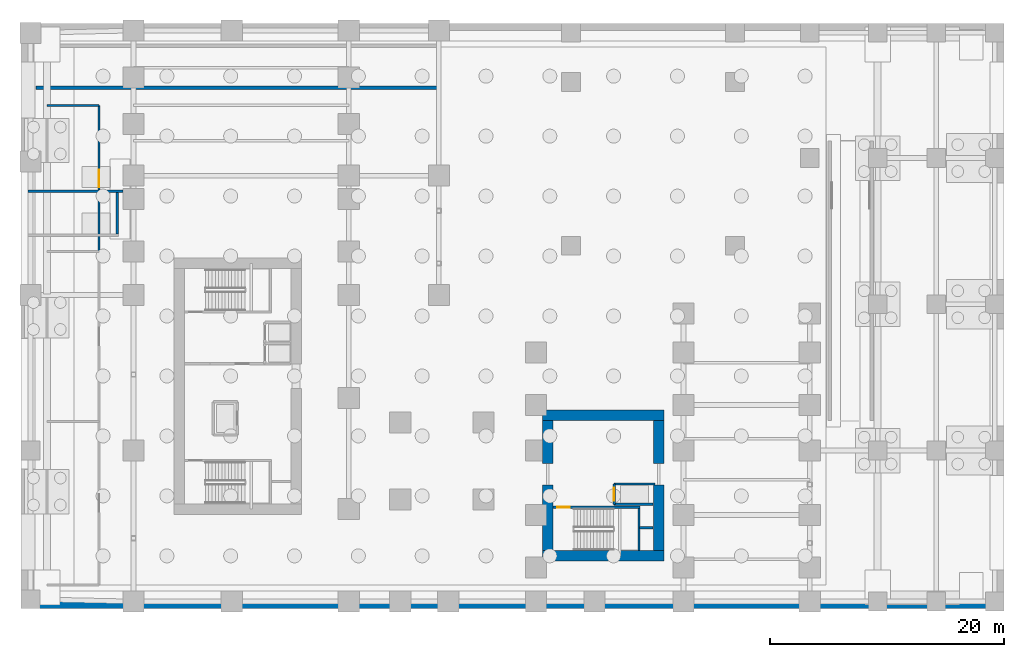
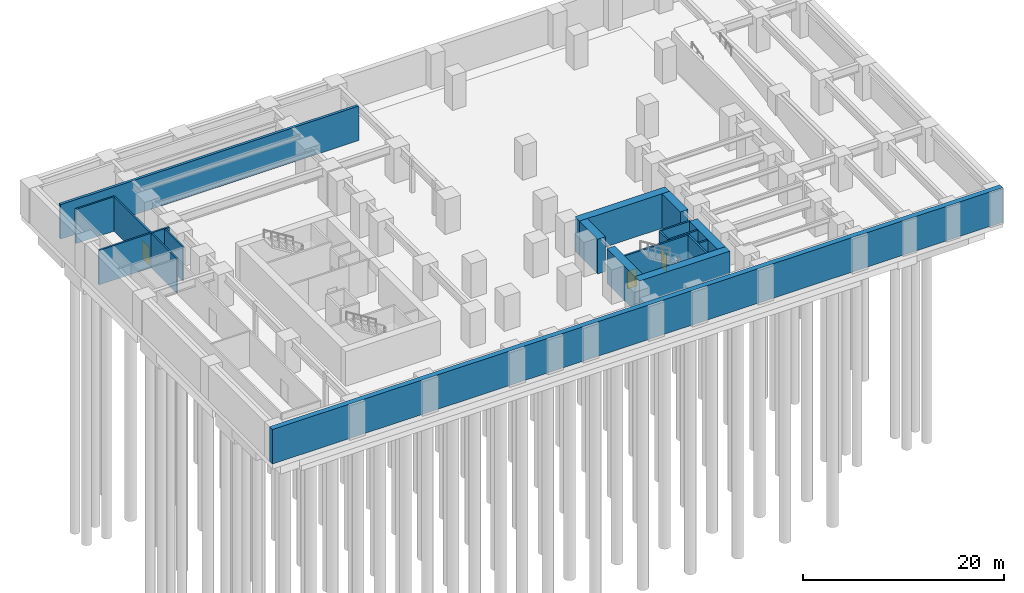
# One storey, part 11 of 15: 18 walls, 3 doors, 3 openings.
"""IFC4 building model written with IfcOpenShell, lengths in metres."""

from ifc_helpers import new_model, si_unit, direction, frame, frame_2d, origin, place, context, subcontext, project, spatial, rectangle, extrude, source, transform, mapped, material, layer, layer_set, type_object, element, fill, save


model = new_model("IFC4")

# Units and contexts
model_context = context("Model", 3, precision=1e-05, world=origin(), true_north=direction((0.0, 1.0)))
body_context = subcontext(model_context, "Body", "Model", "MODEL_VIEW")
ifc_project = project(units=[si_unit("LENGTHUNIT", "METRE"), si_unit("AREAUNIT", "SQUARE_METRE"), si_unit("VOLUMEUNIT", "CUBIC_METRE"), si_unit("PLANEANGLEUNIT", "RADIAN"), si_unit("MASSUNIT", "GRAM", prefix="KILO")], contexts=[model_context])

# Site, building, storey
site_placement = place(None, origin())
site = spatial("IfcSite", under=ifc_project, at=site_placement, CompositionType="ELEMENT")
building_placement = place(site_placement, origin())
building = spatial("IfcBuilding", under=site, at=building_placement, Name="Kharzan Plaza Tower", CompositionType="ELEMENT")
storey_placement = place(building_placement, frame((0.0, 0.0, -9.0)))
storey = spatial("IfcBuildingStorey", under=building, at=storey_placement, Name="B02", CompositionType="ELEMENT", Elevation=-9.0)

# Wall, opening, door
ifc_material_1 = material(Name="Concrete C40/50", Category="concrete")
ifc_layer_1 = layer(ifc_material_1, 0.179931640625)
ifc_layer_set_1 = layer_set([ifc_layer_1], Name="Concrete C40/50")
wall_type_1 = type_object("IfcWallType", Name="WL-INT-FIRE-180", PredefinedType="PARTITIONING", material=ifc_layer_set_1)
wall_1_placement = place(storey_placement, frame((-2.35009765625, 30.5, 0.0), z_axis=(0.0, 0.0, 1.0), x_axis=(0.0, 1.0, 0.0)))
wall_1 = element("IfcWall", 1, at=wall_1_placement, inside=storey, type_object=wall_type_1, Name="B02 Interior Partition B02-PW3", PredefinedType="PARTITIONING", context=body_context, shape_type="SweptSolid", body=[
    extrude(rectangle(XDim=12.5, YDim=0.179931640625, at=frame_2d((6.25, 0.0))), origin(), (0.0, 0.0, 1.0), 4.18505859375),
])
opening_1_placement = place(wall_1_placement, frame((5.5, 0.0, 0.0)))
opening_1 = element("IfcOpeningElement", 2, at=opening_1_placement, cuts=wall_1, Name="Opening PD1", PredefinedType="OPENING", context=body_context, shape_type="SweptSolid", body=[
    extrude(rectangle(XDim=1.5, YDim=2.199951171875, at=frame_2d((0.75, 1.10009765625))), frame((0.0, 0.099853515625, 0.0), z_axis=(0.0, -1.0, 0.0), x_axis=(1.0, 0.0, 0.0)), (0.0, 0.0, 1.0), 0.199951171875),
])
ifc_material_2 = material(Name="Galvanized Louvred Acoustic Steel", Category="steel")
door_type_1 = type_object("IfcDoorType", Name="DR-PLANT-DBL", OperationType="DOUBLE_DOOR_SINGLE_SWING", PredefinedType="DOOR", material=ifc_material_2)
shared_shape_1 = source(origin(), body_context, "Body", "SweptSolid", [
    extrude(rectangle(XDim=1.5, YDim=2.199951171875, at=frame_2d((0.75, 1.10009765625))), frame((0.0, 0.02490234375, 0.0), z_axis=(0.0, -1.0, 0.0), x_axis=(1.0, 0.0, 0.0)), (0.0, 0.0, 1.0), 0.050048828125),
])
door_1_placement = place(opening_1_placement, origin())
door_1 = element("IfcDoor", 3, at=door_1_placement, inside=storey, type_object=door_type_1, Name="B02 Generator Hall Door", OperationType="DOUBLE_DOOR_SINGLE_SWING", OverallHeight=2.199951171875, OverallWidth=1.5, PredefinedType="DOOR", context=body_context, shape_type="MappedRepresentation", body=[
    mapped(shared_shape_1, transform((0.0, 0.0, 0.0), x_axis=(1.0, 0.0, 0.0), y_axis=(0.0, 1.0, 0.0), z_axis=(0.0, 0.0, 1.0))),
])
fill(opening_1, door_1)

ifc_layer_2 = layer(ifc_material_1, 0.199951171875)
ifc_layer_set_2 = layer_set([ifc_layer_2], Name="Concrete C40/50")
wall_type_2 = type_object("IfcWallType", Name="WL-INT-SHAFT-200", PredefinedType="PARTITIONING", material=ifc_layer_set_2)
wall_2_placement = place(storey_placement, frame((41.679931640625, 8.89990234375, 0.0), z_axis=(0.0, 0.0, 1.0), x_axis=(0.0, 1.0, 0.0)))
wall_2 = element("IfcWall", 4, at=wall_2_placement, inside=storey, type_object=wall_type_2, Name="B02 Interior Partition SHF-SVL-2-W", PredefinedType="PARTITIONING", context=body_context, shape_type="SweptSolid", body=[
    extrude(rectangle(XDim=1.739990234375, YDim=0.199951171875, at=frame_2d((0.8701171875, 0.0))), origin(), (0.0, 0.0, 1.0), 4.18505859375),
])
opening_2_placement = place(wall_2_placement, frame((0.320068359375, 0.0, 0.0)))
opening_2 = element("IfcOpeningElement", 5, at=opening_2_placement, cuts=wall_2, Name="Opening LD", PredefinedType="OPENING", context=body_context, shape_type="SweptSolid", body=[
    extrude(rectangle(XDim=1.10009765625, YDim=2.199951171875, at=frame_2d((0.550048828125, 1.10009765625))), frame((0.0, 0.10986328125, 0.0), z_axis=(0.0, -1.0, 0.0), x_axis=(1.0, 0.0, 0.0)), (0.0, 0.0, 1.0), 0.219970703125),
])
ifc_material_3 = material(Name="Brushed Stainless Steel", Category="steel")
door_type_2 = type_object("IfcDoorType", Name="DR-LIFT-SLIDE", OperationType="SLIDING_TO_LEFT", PredefinedType="DOOR", material=ifc_material_3)
shared_shape_2 = source(origin(), body_context, "Body", "SweptSolid", [
    extrude(rectangle(XDim=1.10009765625, YDim=2.199951171875, at=frame_2d((0.550048828125, 1.10009765625))), frame((0.0, 0.02490234375, 0.0), z_axis=(0.0, -1.0, 0.0), x_axis=(1.0, 0.0, 0.0)), (0.0, 0.0, 1.0), 0.050048828125),
])
door_2_placement = place(opening_2_placement, origin())
door_2 = element("IfcDoor", 6, at=door_2_placement, inside=storey, type_object=door_type_2, Name="B02 Service Lift SVL-2 Sliding Landing Door", OperationType="SLIDING_TO_LEFT", OverallHeight=2.199951171875, OverallWidth=1.10009765625, PredefinedType="DOOR", context=body_context, shape_type="MappedRepresentation", body=[
    mapped(shared_shape_2, transform((0.0, 0.0, 0.0), x_axis=(1.0, 0.0, 0.0), y_axis=(0.0, 1.0, 0.0), z_axis=(0.0, 0.0, 1.0))),
])
fill(opening_2, door_2)

ifc_material_4 = material(Name="Concrete C50/60", Category="concrete")
ifc_layer_3 = layer(ifc_material_4, 0.199951171875)
ifc_layer_set_3 = layer_set([ifc_layer_3], Name="Concrete C50/60")
wall_type_3 = type_object("IfcWallType", Name="WL-SHAFT-RC200", PredefinedType="SHEAR", material=ifc_layer_set_3)
wall_3_placement = place(storey_placement, frame((36.451904296875, 8.655029296875, 0.0), z_axis=(0.0, 0.0, 1.0), x_axis=(1.0, 0.0, 0.0)))
wall_3 = element("IfcWall", 7, at=wall_3_placement, inside=storey, type_object=wall_type_3, Name="B02 Stair ST-3 North RC Shaft Wall", PredefinedType="SHEAR", context=body_context, shape_type="SweptSolid", body=[
    extrude(rectangle(XDim=7.453125, YDim=0.199951171875, at=frame_2d((3.7265625, 0.0))), origin(), (0.0, 0.0, 1.0), 4.199951171875),
])
opening_3_placement = place(wall_3_placement, frame((0.35009765625, 0.0, 0.0)))
opening_3 = element("IfcOpeningElement", 8, at=opening_3_placement, cuts=wall_3, Name="Opening SD1", PredefinedType="OPENING", context=body_context, shape_type="SweptSolid", body=[
    extrude(rectangle(XDim=1.10009765625, YDim=2.14990234375, at=frame_2d((0.550048828125, 1.074951171875))), frame((0.0, 0.10986328125, 0.0), z_axis=(0.0, -1.0, 0.0), x_axis=(1.0, 0.0, 0.0)), (0.0, 0.0, 1.0), 0.219970703125),
])
ifc_material_5 = material(Name="Fire-Rated Hollow Galvanized Steel", Category="steel")
door_type_3 = type_object("IfcDoorType", Name="DR-STAIR-FD120", OperationType="NOTDEFINED", PredefinedType="DOOR", material=ifc_material_5)
shared_shape_3 = source(origin(), body_context, "Body", "SweptSolid", [
    extrude(rectangle(XDim=1.10009765625, YDim=2.14990234375, at=frame_2d((0.550048828125, 1.074951171875))), frame((0.0, 0.02490234375, 0.0), z_axis=(0.0, -1.0, 0.0), x_axis=(1.0, 0.0, 0.0)), (0.0, 0.0, 1.0), 0.050048828125),
])
door_3_placement = place(opening_3_placement, origin())
door_3 = element("IfcDoor", 9, at=door_3_placement, inside=storey, type_object=door_type_3, Name="B02 Stair ST-3 Fire Exit Door", OperationType="SINGLE_SWING_RIGHT", OverallHeight=2.14990234375, OverallWidth=1.10009765625, PredefinedType="DOOR", context=body_context, shape_type="MappedRepresentation", body=[
    mapped(shared_shape_3, transform((0.0, 0.0, 0.0), x_axis=(1.0, 0.0, 0.0), y_axis=(0.0, 1.0, 0.0), z_axis=(0.0, 0.0, 1.0))),
])
fill(opening_3, door_3)

# Walls
ifc_material_6 = material(Name="Concrete C60/75", Category="concrete")
ifc_layer_4 = layer(ifc_material_6, 0.89990234375)
ifc_layer_set_4 = layer_set([ifc_layer_4], Name="Concrete C60/75")
wall_type_4 = type_object("IfcWallType", Name="WL-CORE-900", PredefinedType="SHEAR", material=ifc_layer_set_4)
shared_shape_4 = source(origin(), body_context, "Body", "SweptSolid", [
    extrude(rectangle(XDim=5.60009765625, YDim=0.89990234375, at=frame_2d((2.800048828125, 0.0))), origin(), (0.0, 0.0, 1.0), 4.199951171875),
])
for number, where, z_axis, x_axis, name in (
    (10, (45.5, 4.949951171875, 0.0), (0.0, 0.0, 1.0), (0.0, 1.0, 0.0), "B02 CORE-B east shear pier 1"),
    (11, (36.0, 4.949951171875, 0.0), (0.0, 0.0, 1.0), (0.0, 1.0, 0.0), "B02 CORE-B west shear pier 1"),
):
    element("IfcWall", number, at=place(storey_placement, frame(where, z_axis=z_axis, x_axis=x_axis)), inside=storey, type_object=wall_type_4, Name=name, PredefinedType="SHEAR", context=body_context, shape_type="MappedRepresentation", body=[
        mapped(shared_shape_4, transform((0.0, 0.0, 0.0), x_axis=(1.0, 0.0, 0.0), y_axis=(0.0, 1.0, 0.0), z_axis=(0.0, 0.0, 1.0))),
    ])
shared_shape_5 = source(origin(), body_context, "Body", "SweptSolid", [
    extrude(rectangle(XDim=3.650146484375, YDim=0.89990234375, at=frame_2d((1.8251953125, 0.0))), origin(), (0.0, 0.0, 1.0), 4.199951171875),
])
for number, where, z_axis, x_axis, name in (
    (12, (45.5, 12.39990234375, 0.0), (0.0, 0.0, 1.0), (0.0, 1.0, 0.0), "B02 CORE-B east shear pier 2"),
    (13, (36.0, 12.39990234375, 0.0), (0.0, 0.0, 1.0), (0.0, 1.0, 0.0), "B02 CORE-B west shear pier 2"),
):
    element("IfcWall", number, at=place(storey_placement, frame(where, z_axis=z_axis, x_axis=x_axis)), inside=storey, type_object=wall_type_4, Name=name, PredefinedType="SHEAR", context=body_context, shape_type="MappedRepresentation", body=[
        mapped(shared_shape_5, transform((0.0, 0.0, 0.0), x_axis=(1.0, 0.0, 0.0), y_axis=(0.0, 1.0, 0.0), z_axis=(0.0, 0.0, 1.0))),
    ])
shared_shape_6 = source(origin(), body_context, "Body", "SweptSolid", [
    extrude(rectangle(XDim=10.39990234375, YDim=0.89990234375, at=frame_2d((5.199951171875, 0.0))), origin(), (0.0, 0.0, 1.0), 4.199951171875),
])
for number, where, z_axis, x_axis, name in (
    (14, (35.550048828125, 16.5, 0.0), (0.0, 0.0, 1.0), (1.0, 0.0, 0.0), "B02 CORE-B north RC shear wall"),
    (15, (35.550048828125, 4.5, 0.0), (0.0, 0.0, 1.0), (1.0, 0.0, 0.0), "B02 CORE-B south RC shear wall"),
):
    element("IfcWall", number, at=place(storey_placement, frame(where, z_axis=z_axis, x_axis=x_axis)), inside=storey, type_object=wall_type_4, Name=name, PredefinedType="SHEAR", context=body_context, shape_type="MappedRepresentation", body=[
        mapped(shared_shape_6, transform((0.0, 0.0, 0.0), x_axis=(1.0, 0.0, 0.0), y_axis=(0.0, 1.0, 0.0), z_axis=(0.0, 0.0, 1.0))),
    ])
shared_shape_7 = source(origin(), body_context, "Body", "SweptSolid", [
    extrude(rectangle(XDim=4.449951171875, YDim=0.179931640625, at=frame_2d((2.22509765625, 0.0))), origin(), (0.0, 0.0, 1.0), 4.18505859375),
])
wall_4_placement = place(storey_placement, frame((-6.800048828125, 43.0, 0.0), z_axis=(0.0, 0.0, 1.0), x_axis=(1.0, 0.0, 0.0)))
element("IfcWall", 16, at=wall_4_placement, inside=storey, type_object=wall_type_1, Name="B02 Interior Partition B02-PN0", PredefinedType="PARTITIONING", context=body_context, shape_type="MappedRepresentation", body=[
    mapped(shared_shape_7, transform((0.0, 0.0, 0.0), x_axis=(1.0, 0.0, 0.0), y_axis=(0.0, 1.0, 0.0), z_axis=(0.0, 0.0, 1.0))),
])
shared_shape_8 = source(origin(), body_context, "Body", "SweptSolid", [
    extrude(rectangle(XDim=1.169921875, YDim=0.199951171875, at=frame_2d((0.5849609375, 0.0))), origin(), (0.0, 0.0, 1.0), 4.18505859375),
])
wall_5_placement = place(storey_placement, frame((43.85009765625, 6.89990234375, 0.0), z_axis=(0.0, 0.0, 1.0), x_axis=(1.0, 0.0, 0.0)))
element("IfcWall", 17, at=wall_5_placement, inside=storey, type_object=wall_type_2, Name="B02 Interior Partition CB-RSRB-N", PredefinedType="PARTITIONING", context=body_context, shape_type="MappedRepresentation", body=[
    mapped(shared_shape_8, transform((0.0, 0.0, 0.0), x_axis=(1.0, 0.0, 0.0), y_axis=(0.0, 1.0, 0.0), z_axis=(0.0, 0.0, 1.0))),
])
shared_shape_9 = source(origin(), body_context, "Body", "SweptSolid", [
    extrude(rectangle(XDim=3.489990234375, YDim=0.199951171875, at=frame_2d((1.7451171875, 0.0))), origin(), (0.0, 0.0, 1.0), 4.18505859375),
])
wall_6_placement = place(storey_placement, frame((41.679931640625, 10.639892578125, 0.0), z_axis=(0.0, 0.0, 1.0), x_axis=(1.0, 0.0, 0.0)))
element("IfcWall", 18, at=wall_6_placement, inside=storey, type_object=wall_type_2, Name="B02 Interior Partition SHF-SVL-2-N", PredefinedType="PARTITIONING", context=body_context, shape_type="MappedRepresentation", body=[
    mapped(shared_shape_9, transform((0.0, 0.0, 0.0), x_axis=(1.0, 0.0, 0.0), y_axis=(0.0, 1.0, 0.0), z_axis=(0.0, 0.0, 1.0))),
])
shared_shape_10 = source(origin(), body_context, "Body", "SweptSolid", [
    extrude(rectangle(XDim=3.340087890625, YDim=0.199951171875, at=frame_2d((1.669921875, 0.0))), origin(), (0.0, 0.0, 1.0), 4.18505859375),
])
wall_7_placement = place(storey_placement, frame((41.679931640625, 8.89990234375, 0.0), z_axis=(0.0, 0.0, 1.0), x_axis=(1.0, 0.0, 0.0)))
element("IfcWall", 19, at=wall_7_placement, inside=storey, type_object=wall_type_2, Name="B02 Interior Partition SHF-SVL-2-S", PredefinedType="PARTITIONING", context=body_context, shape_type="MappedRepresentation", body=[
    mapped(shared_shape_10, transform((0.0, 0.0, 0.0), x_axis=(1.0, 0.0, 0.0), y_axis=(0.0, 1.0, 0.0), z_axis=(0.0, 0.0, 1.0))),
])
ifc_layer_5 = layer(ifc_material_4, 0.60009765625)
ifc_layer_set_5 = layer_set([ifc_layer_5], Name="Concrete C50/60")
wall_type_5 = type_object("IfcWallType", Name="WL-RETAIN-600", PredefinedType="USERDEFINED", material=ifc_layer_set_5)
shared_shape_11 = source(origin(), body_context, "Body", "SweptSolid", [
    extrude(rectangle(XDim=84.0, YDim=0.60009765625, at=frame_2d((42.0, 0.0))), origin(), (0.0, 0.0, 1.0), 4.199951171875),
])
wall_8_placement = place(storey_placement, frame((-9.0, 0.300048828125, 0.0), z_axis=(0.0, 0.0, 1.0), x_axis=(1.0, 0.0, 0.0)))
element("IfcWall", 20, at=wall_8_placement, inside=storey, type_object=wall_type_5, Name="B02 South Basement Retaining Wall 600 mm", ObjectType="RETAININGWALL", PredefinedType="USERDEFINED", context=body_context, shape_type="MappedRepresentation", body=[
    mapped(shared_shape_11, transform((0.0, 0.0, 0.0), x_axis=(1.0, 0.0, 0.0), y_axis=(0.0, 1.0, 0.0), z_axis=(0.0, 0.0, 1.0))),
])
shared_shape_12 = source(origin(), body_context, "Body", "SweptSolid", [
    extrude(rectangle(XDim=3.60302734375, YDim=0.199951171875, at=frame_2d((1.801513671875, 0.0))), origin(), (0.0, 0.0, 1.0), 4.199951171875),
])
wall_9_placement = place(storey_placement, frame((43.804931640625, 4.951904296875, 0.0), z_axis=(0.0, 0.0, 1.0), x_axis=(0.0, 1.0, 0.0)))
element("IfcWall", 21, at=wall_9_placement, inside=storey, type_object=wall_type_3, Name="B02 Stair ST-3 East RC Shaft Wall", PredefinedType="SHEAR", context=body_context, shape_type="MappedRepresentation", body=[
    mapped(shared_shape_12, transform((0.0, 0.0, 0.0), x_axis=(1.0, 0.0, 0.0), y_axis=(0.0, 1.0, 0.0), z_axis=(0.0, 0.0, 1.0))),
])
shared_shape_13 = source(origin(), body_context, "Body", "SweptSolid", [
    extrude(rectangle(XDim=3.559814453125, YDim=0.199951171875, at=frame_2d((1.77978515625, 0.0))), origin(), (0.0, 0.0, 1.0), 4.199951171875),
])
wall_10_placement = place(storey_placement, frame((-0.794921875, 31.9951171875, 0.0), z_axis=(0.0, 0.0, 1.0), x_axis=(0.0, 1.0, 0.0)))
element("IfcWall", 22, at=wall_10_placement, inside=storey, type_object=wall_type_3, Name="B02 Stair ST-4 East RC Shaft Wall", PredefinedType="SHEAR", context=body_context, shape_type="MappedRepresentation", body=[
    mapped(shared_shape_13, transform((0.0, 0.0, 0.0), x_axis=(1.0, 0.0, 0.0), y_axis=(0.0, 1.0, 0.0), z_axis=(0.0, 0.0, 1.0))),
])
shared_shape_14 = source(origin(), body_context, "Body", "SweptSolid", [
    extrude(rectangle(XDim=8.099853515625, YDim=0.199951171875, at=frame_2d((4.0498046875, 0.0))), origin(), (0.0, 0.0, 1.0), 4.199951171875),
])
wall_11_placement = place(storey_placement, frame((-8.39990234375, 35.655029296875, 0.0), z_axis=(0.0, 0.0, 1.0), x_axis=(1.0, 0.0, 0.0)))
element("IfcWall", 23, at=wall_11_placement, inside=storey, type_object=wall_type_3, Name="B02 Stair ST-4 North RC Shaft Wall", PredefinedType="SHEAR", context=body_context, shape_type="MappedRepresentation", body=[
    mapped(shared_shape_14, transform((0.0, 0.0, 0.0), x_axis=(1.0, 0.0, 0.0), y_axis=(0.0, 1.0, 0.0), z_axis=(0.0, 0.0, 1.0))),
])
ifc_layer_6 = layer(ifc_material_4, 0.300048828125)
ifc_layer_set_6 = layer_set([ifc_layer_6], Name="Concrete C50/60")
wall_type_6 = type_object("IfcWallType", Name="WL-RAMP-RC300", PredefinedType="SHEAR", material=ifc_layer_set_6)
shared_shape_15 = source(origin(), body_context, "Body", "SweptSolid", [
    extrude(rectangle(XDim=34.300048828125, YDim=0.300048828125, at=frame_2d((17.14990234375, 0.0))), origin(), (0.0, 0.0, 1.0), 4.199951171875),
])
wall_12_placement = place(storey_placement, frame((-7.75, 44.5, 0.0), z_axis=(0.0, 0.0, 1.0), x_axis=(1.0, 0.0, 0.0)))
element("IfcWall", 24, at=wall_12_placement, inside=storey, type_object=wall_type_6, Name="B02 Upper Ramp South Support Wall", PredefinedType="SHEAR", context=body_context, shape_type="MappedRepresentation", body=[
    mapped(shared_shape_15, transform((0.0, 0.0, 0.0), x_axis=(1.0, 0.0, 0.0), y_axis=(0.0, 1.0, 0.0), z_axis=(0.0, 0.0, 1.0))),
])

save(model, "model.ifc")
